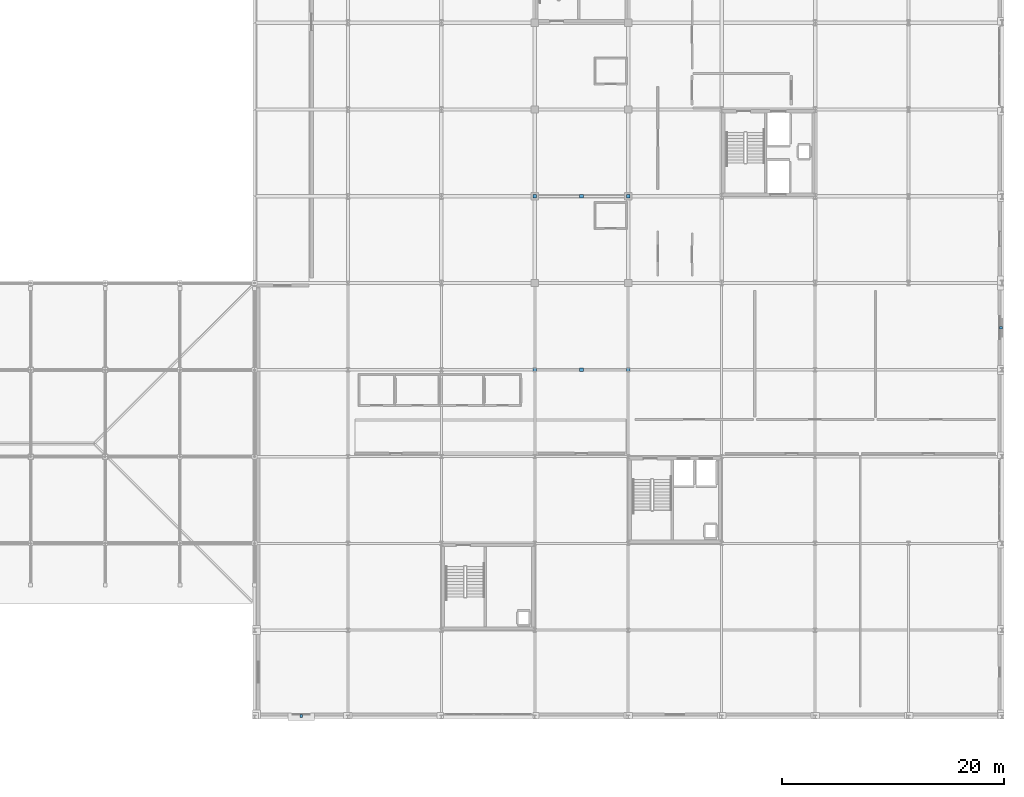
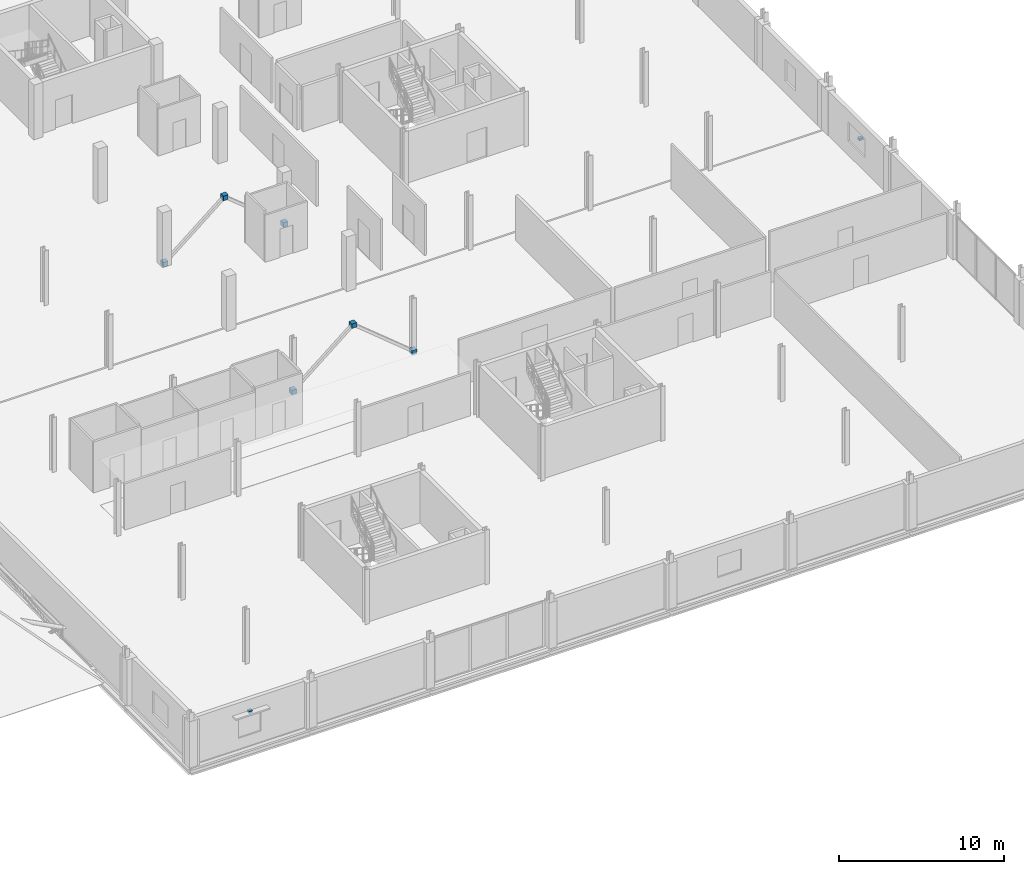
# One storey, part 67 of 77: 8 discrete accessories.
"""IFC4 building model written with IfcOpenShell, lengths in metres."""

from ifc_helpers import new_model, si_unit, direction, frame, origin, origin_2d, place, context, subcontext, project, spatial, rectangle, extrude, material, layer, layer_set, type_object, element, save


model = new_model("IFC4")

# Units and contexts
model_context = context("Model", 3, precision=1e-05, world=origin(), true_north=direction((0.0, 1.0)))
body_context = subcontext(model_context, "Body", "Model", "MODEL_VIEW")
ifc_project = project(units=[si_unit("LENGTHUNIT", "METRE"), si_unit("AREAUNIT", "SQUARE_METRE"), si_unit("VOLUMEUNIT", "CUBIC_METRE"), si_unit("PLANEANGLEUNIT", "RADIAN"), si_unit("MASSUNIT", "GRAM", prefix="KILO")], contexts=[model_context])

# Site, building, storey
site_placement = place(None, origin())
site = spatial("IfcSite", under=ifc_project, at=site_placement, CompositionType="ELEMENT")
building_placement = place(site_placement, origin())
building = spatial("IfcBuilding", under=site, at=building_placement, Name="Nabrawat Pavilion Hospital", CompositionType="ELEMENT")
storey_placement = place(building_placement, frame((0.0, 0.0, 14.85009765625)))
storey = spatial("IfcBuildingStorey", under=building, at=storey_placement, Name="L03", CompositionType="ELEMENT", Elevation=14.85009765625)

# Discrete accessories
ifc_material = material(Name="Steel S355", Category="steel")
ifc_layer_1 = layer(ifc_material, 0.02001953125, Name="Steel S355")
ifc_layer_set_1 = layer_set([ifc_layer_1], Name="Steel S355")
discrete_accessory_type_1 = type_object("IfcDiscreteAccessoryType", Name="Brace and Strut Gusset End Bracket 20", PredefinedType="BRACKET", material=ifc_layer_set_1)
for number, where, z_axis, x_axis, name in (
    (1, (155.39990234375, 31.199951171875, 3.330078125), (0.0, 0.0, 1.0), (1.0, 0.0, 0.0), "L03 Brace and Strut Gusset End Connection 0060"),
    (2, (151.199951171875, 31.199951171875, -0.1201171875), (0.0, 0.0, 1.0), (1.0, 0.0, 0.0), "L03 Brace and Strut Gusset End Connection 0061"),
    (3, (159.60009765625, 31.199951171875, -0.1201171875), (0.0, 0.0, 1.0), (1.0, 0.0, 0.0), "L03 Brace and Strut Gusset End Connection 0062"),
    (4, (155.39990234375, 46.800048828125, 3.330078125), (0.0, 0.0, 1.0), (1.0, 0.0, 0.0), "L03 Brace and Strut Gusset End Connection 0078"),
    (5, (151.199951171875, 46.800048828125, -0.1201171875), (0.0, 0.0, 1.0), (1.0, 0.0, 0.0), "L03 Brace and Strut Gusset End Connection 0079"),
    (6, (159.60009765625, 46.800048828125, -0.1201171875), (0.0, 0.0, 1.0), (1.0, 0.0, 0.0), "L03 Brace and Strut Gusset End Connection 0080"),
):
    element("IfcDiscreteAccessory", number, at=place(storey_placement, frame(where, z_axis=z_axis, x_axis=x_axis)), inside=storey, type_object=discrete_accessory_type_1, Name=name, PredefinedType="BRACKET", context=body_context, shape_type="SweptSolid", body=[
        extrude(rectangle(XDim=0.340087890625, YDim=0.340087890625, at=origin_2d()), origin(), (0.0, 0.0, 1.0), 0.340087890625),
    ])
ifc_layer_2 = layer(ifc_material, 0.159912109375, Name="Steel S355")
ifc_layer_set_2 = layer_set([ifc_layer_2], Name="Steel S355")
discrete_accessory_type_2 = type_object("IfcDiscreteAccessoryType", Name="Facade Shading Support Steel Bracket", PredefinedType="BRACKET", material=ifc_layer_set_2)
for number, where, z_axis, x_axis, name in (
    (7, (130.199951171875, 0.074951171875, 2.4697265625), (0.0, 0.0, 1.0), (1.0, 0.0, 0.0), "L03 Facade Shading Bracket 016"),
    (8, (193.125, 34.989990234375, 1.669921875), (0.0, 0.0, 1.0), (0.0, 1.0, 0.0), "L03 Facade Shading Bracket 017"),
):
    element("IfcDiscreteAccessory", number, at=place(storey_placement, frame(where, z_axis=z_axis, x_axis=x_axis)), inside=storey, type_object=discrete_accessory_type_2, Name=name, PredefinedType="BRACKET", context=body_context, shape_type="SweptSolid", body=[
        extrude(rectangle(XDim=0.239990234375, YDim=0.280029296875, at=origin_2d()), origin(), (0.0, 0.0, 1.0), 0.159912109375),
    ])

save(model, "model.ifc")
